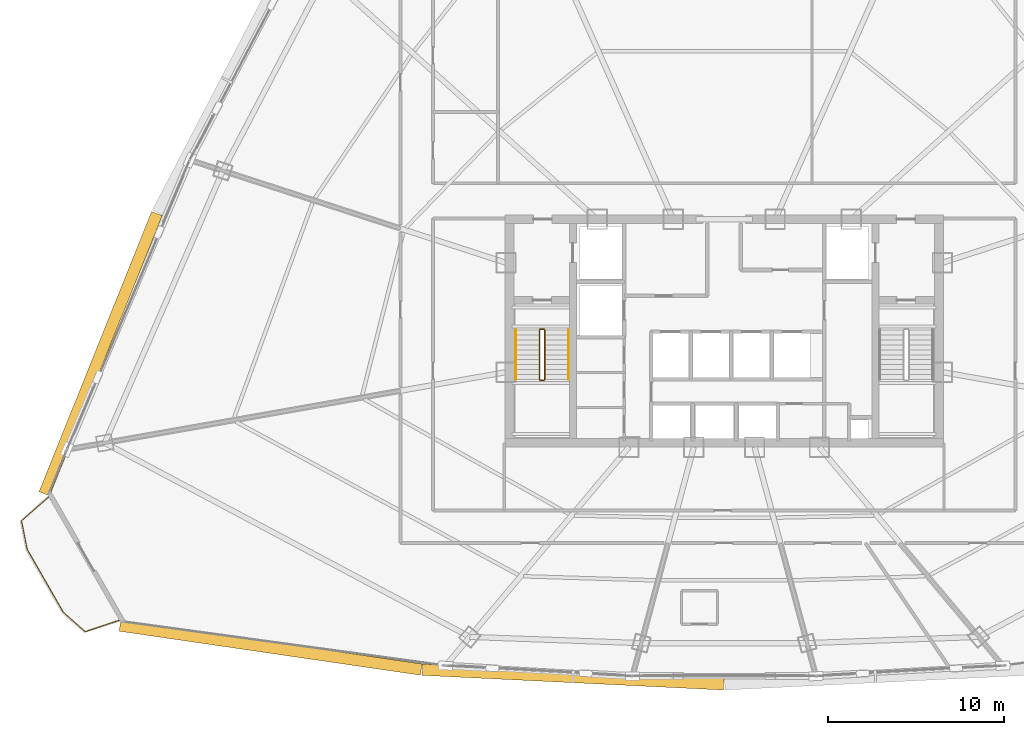
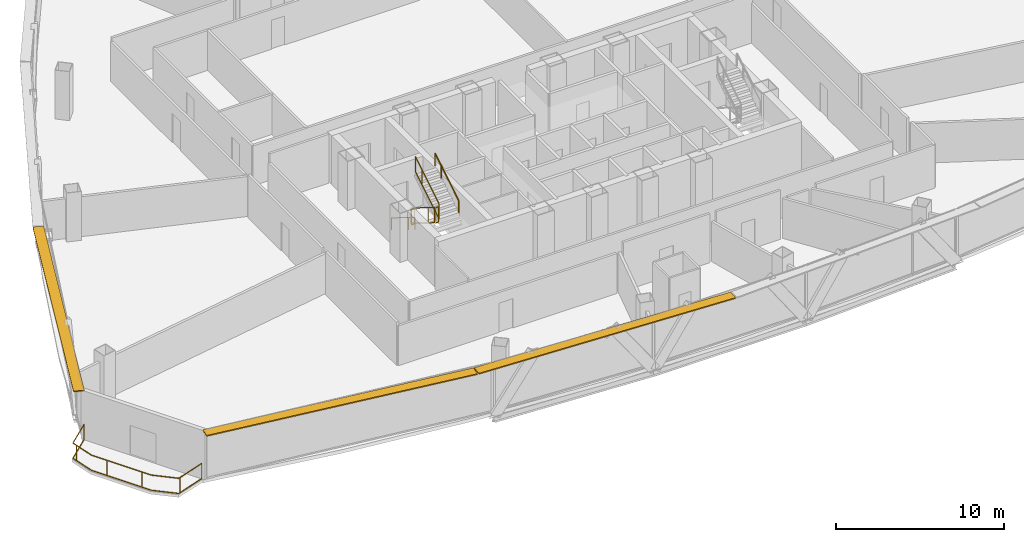
# One storey, part 34 of 37: 7 railings, 3 shading devices.
"""IFC4 building model written with IfcOpenShell, lengths in metres."""

from ifc_helpers import new_model, si_unit, direction, frame, origin, origin_2d, place, context, subcontext, project, spatial, rectangle, extrude, source, transform, mapped, material, layer, layer_set, type_object, element, save


model = new_model("IFC4")

# Units and contexts
model_context = context("Model", 3, precision=1e-05, world=origin(), true_north=direction((0.0, 1.0)))
body_context = subcontext(model_context, "Body", "Model", "MODEL_VIEW")
ifc_project = project(units=[si_unit("LENGTHUNIT", "METRE"), si_unit("AREAUNIT", "SQUARE_METRE"), si_unit("VOLUMEUNIT", "CUBIC_METRE"), si_unit("PLANEANGLEUNIT", "RADIAN"), si_unit("MASSUNIT", "GRAM", prefix="KILO"), si_unit("THERMODYNAMICTEMPERATUREUNIT", "KELVIN"), si_unit("POWERUNIT", "WATT")], contexts=[model_context])

# Site, building, storey
site_placement = place(None, origin())
site = spatial("IfcSite", under=ifc_project, at=site_placement, CompositionType="ELEMENT")
building_placement = place(site_placement, origin())
building = spatial("IfcBuilding", under=site, at=building_placement, Name="Yunzhuo Pagoda Commons", CompositionType="ELEMENT")
storey_placement = place(building_placement, frame((0.0, 0.0, 192.360107421875)))
storey = spatial("IfcBuildingStorey", under=building, at=storey_placement, Name="L48", CompositionType="ELEMENT", Elevation=192.360107421875)

# Railings
ifc_material = material(Name="Anodized aluminium 6063-T6", Category="aluminium")
railing_type_1 = type_object("IfcRailingType", Name="GR-ST1 Stair Well Guardrail 1150", PredefinedType="GUARDRAIL", material=ifc_material)
railing_1_placement = place(storey_placement, frame((37.5, 33.89990234375, 0.172607421875)))
element("IfcRailing", 1, at=railing_1_placement, inside=storey, type_object=railing_type_1, Name="L48 ST1 stair guard 1", PredefinedType="GUARDRAIL", context=body_context, shape_type="SweptSolid", body=[
    extrude(rectangle(XDim=0.048095703125, YDim=0.048095703125, at=origin_2d()), frame((0.0, 0.0, 1.1259765625), z_axis=(0.0, -0.851069175582, 0.525053576669), x_axis=(1.0, 0.0, 0.0)), (0.0, 0.0, 1.0), 3.289794921875),
    extrude(rectangle(XDim=0.048095703125, YDim=0.048095703125, at=origin_2d()), frame((0.0, 0.0, 0.02392578125), z_axis=(0.0, -0.851069175582, 0.525053576669), x_axis=(1.0, 0.0, 0.0)), (0.0, 0.0, 1.0), 3.289794921875),
    extrude(rectangle(XDim=0.0419921875, YDim=0.0419921875, at=origin_2d()), origin(), (0.0, 0.0, 1.0), 1.101806640625),
    extrude(rectangle(XDim=0.0419921875, YDim=0.0419921875, at=origin_2d()), frame((0.0, -2.04248046875, 1.260009765625)), (0.0, 0.0, 1.0), 1.101806640625),
    extrude(rectangle(XDim=0.0419921875, YDim=0.0419921875, at=origin_2d()), frame((0.0, -2.7998046875, 1.727294921875)), (0.0, 0.0, 1.0), 1.101806640625),
])
railing_2_placement = place(storey_placement, frame((37.550048828125, 31.050048828125, 1.89990234375)))
element("IfcRailing", 2, at=railing_2_placement, inside=storey, type_object=railing_type_1, Name="L48 ST1 stair guard 2", PredefinedType="GUARDRAIL", context=body_context, shape_type="SweptSolid", body=[
    extrude(rectangle(XDim=0.048095703125, YDim=0.048095703125, at=origin_2d()), frame((0.0, 0.0, 1.1259765625), z_axis=(1.0, 0.0, 0.0), x_axis=(0.0, 1.0, 0.0)), (0.0, 0.0, 1.0), 0.199951171875),
    extrude(rectangle(XDim=0.048095703125, YDim=0.048095703125, at=origin_2d()), frame((0.0, 0.0, 0.02392578125), z_axis=(1.0, 0.0, 0.0), x_axis=(0.0, 1.0, 0.0)), (0.0, 0.0, 1.0), 0.199951171875),
    extrude(rectangle(XDim=0.0419921875, YDim=0.0419921875, at=origin_2d()), origin(), (0.0, 0.0, 1.0), 1.101806640625),
    extrude(rectangle(XDim=0.0419921875, YDim=0.0419921875, at=origin_2d()), frame((0.199951171875, 0.0, 0.0)), (0.0, 0.0, 1.0), 1.101806640625),
])
railing_3_placement = place(storey_placement, frame((37.800048828125, 31.10009765625, 2.072509765625)))
element("IfcRailing", 3, at=railing_3_placement, inside=storey, type_object=railing_type_1, Name="L48 ST1 stair guard 3", PredefinedType="GUARDRAIL", context=body_context, shape_type="SweptSolid", body=[
    extrude(rectangle(XDim=0.048095703125, YDim=0.048095703125, at=origin_2d()), frame((0.0, 0.0, 1.1259765625), z_axis=(0.0, 0.851069175582, 0.525053576669), x_axis=(-1.0, 0.0, 0.0)), (0.0, 0.0, 1.0), 3.289794921875),
    extrude(rectangle(XDim=0.048095703125, YDim=0.048095703125, at=origin_2d()), frame((0.0, 0.0, 0.02392578125), z_axis=(0.0, 0.851069175582, 0.525053576669), x_axis=(-1.0, 0.0, 0.0)), (0.0, 0.0, 1.0), 3.289794921875),
    extrude(rectangle(XDim=0.0419921875, YDim=0.0419921875, at=origin_2d()), origin(), (0.0, 0.0, 1.0), 1.101806640625),
    extrude(rectangle(XDim=0.0419921875, YDim=0.0419921875, at=origin_2d()), frame((0.0, 2.04248046875, 1.260009765625)), (0.0, 0.0, 1.0), 1.101806640625),
    extrude(rectangle(XDim=0.0419921875, YDim=0.0419921875, at=origin_2d()), frame((0.0, 2.7998046875, 1.727294921875)), (0.0, 0.0, 1.0), 1.101806640625),
])
railing_4_placement = place(storey_placement, frame((37.550048828125, 33.949951171875, 0.0)))
element("IfcRailing", 4, at=railing_4_placement, inside=storey, type_object=railing_type_1, Name="L48 ST1 stair guard 4", PredefinedType="GUARDRAIL", context=body_context, shape_type="SweptSolid", body=[
    extrude(rectangle(XDim=0.048095703125, YDim=0.048095703125, at=origin_2d()), frame((0.0, 0.0, 1.1259765625), z_axis=(1.0, 0.0, 0.0), x_axis=(0.0, 1.0, 0.0)), (0.0, 0.0, 1.0), 0.199951171875),
    extrude(rectangle(XDim=0.048095703125, YDim=0.048095703125, at=origin_2d()), frame((0.0, 0.0, 0.02392578125), z_axis=(1.0, 0.0, 0.0), x_axis=(0.0, 1.0, 0.0)), (0.0, 0.0, 1.0), 0.199951171875),
    extrude(rectangle(XDim=0.0419921875, YDim=0.0419921875, at=origin_2d()), origin(), (0.0, 0.0, 1.0), 1.101806640625),
    extrude(rectangle(XDim=0.0419921875, YDim=0.0419921875, at=origin_2d()), frame((0.199951171875, 0.0, 0.0)), (0.0, 0.0, 1.0), 1.101806640625),
])
railing_type_2 = type_object("IfcRailingType", Name="HR-ST1 Stair Handrail 900", PredefinedType="HANDRAIL", material=ifc_material)
railing_5_placement = place(storey_placement, frame((36.14990234375, 33.89990234375, 0.172607421875)))
element("IfcRailing", 5, at=railing_5_placement, inside=storey, type_object=railing_type_2, Name="L48 ST1 stair handrail 1", PredefinedType="HANDRAIL", context=body_context, shape_type="SweptSolid", body=[
    extrude(rectangle(XDim=0.048095703125, YDim=0.048095703125, at=origin_2d()), frame((0.0, 0.0, 0.8759765625), z_axis=(0.0, -0.851069175582, 0.525053576669), x_axis=(1.0, 0.0, 0.0)), (0.0, 0.0, 1.0), 3.289794921875),
    extrude(rectangle(XDim=0.0419921875, YDim=0.0419921875, at=origin_2d()), origin(), (0.0, 0.0, 1.0), 0.851806640625),
    extrude(rectangle(XDim=0.0419921875, YDim=0.0419921875, at=origin_2d()), frame((0.0, -2.04248046875, 1.260009765625)), (0.0, 0.0, 1.0), 0.851806640625),
    extrude(rectangle(XDim=0.0419921875, YDim=0.0419921875, at=origin_2d()), frame((0.0, -2.7998046875, 1.727294921875)), (0.0, 0.0, 1.0), 0.851806640625),
])
railing_6_placement = place(storey_placement, frame((39.14990234375, 31.10009765625, 2.072509765625)))
element("IfcRailing", 6, at=railing_6_placement, inside=storey, type_object=railing_type_2, Name="L48 ST1 stair handrail 2", PredefinedType="HANDRAIL", context=body_context, shape_type="SweptSolid", body=[
    extrude(rectangle(XDim=0.048095703125, YDim=0.048095703125, at=origin_2d()), frame((0.0, 0.0, 0.8759765625), z_axis=(0.0, 0.851069175582, 0.525053576669), x_axis=(-1.0, 0.0, 0.0)), (0.0, 0.0, 1.0), 3.289794921875),
    extrude(rectangle(XDim=0.0419921875, YDim=0.0419921875, at=origin_2d()), origin(), (0.0, 0.0, 1.0), 0.851806640625),
    extrude(rectangle(XDim=0.0419921875, YDim=0.0419921875, at=origin_2d()), frame((0.0, 2.04248046875, 1.260009765625)), (0.0, 0.0, 1.0), 0.851806640625),
    extrude(rectangle(XDim=0.0419921875, YDim=0.0419921875, at=origin_2d()), frame((0.0, 2.7998046875, 1.727294921875)), (0.0, 0.0, 1.0), 0.851806640625),
])
railing_type_3 = type_object("IfcRailingType", Name="RL-BAL1 Exterior Terrace & Balcony Balustrade 1150", PredefinedType="BALUSTRADE", material=ifc_material)
railing_7_placement = place(storey_placement, frame((9.6123046875, 24.421875, 0.0)))
element("IfcRailing", 7, at=railing_7_placement, inside=storey, type_object=railing_type_3, Name="L48 corner balcony balustrade V1", PredefinedType="BALUSTRADE", context=body_context, shape_type="SweptSolid", body=[
    extrude(rectangle(XDim=0.048095703125, YDim=0.048095703125, at=origin_2d()), frame((0.0, 0.0, 1.1259765625), z_axis=(-0.753933830692, -0.656950362614, 0.0), x_axis=(0.656950362614, -0.753933830692, 0.0)), (0.0, 0.0, 1.0), 2.05908203125),
    extrude(rectangle(XDim=0.048095703125, YDim=0.048095703125, at=origin_2d()), frame((0.0, 0.0, 0.02392578125), z_axis=(-0.753933830692, -0.656950362614, 0.0), x_axis=(0.656950362614, -0.753933830692, 0.0)), (0.0, 0.0, 1.0), 2.05908203125),
    extrude(rectangle(XDim=0.048095703125, YDim=0.048095703125, at=origin_2d()), frame((-1.552490234375, -1.352783203125, 1.1259765625), z_axis=(0.196031545686, -0.980597589787, 0.0), x_axis=(0.980597589787, 0.196031545686, 0.0)), (0.0, 0.0, 1.0), 1.6650390625),
    extrude(rectangle(XDim=0.048095703125, YDim=0.048095703125, at=origin_2d()), frame((-1.552490234375, -1.352783203125, 0.02392578125), z_axis=(0.196031545686, -0.980597589787, 0.0), x_axis=(0.980597589787, 0.196031545686, 0.0)), (0.0, 0.0, 1.0), 1.6650390625),
    extrude(rectangle(XDim=0.048095703125, YDim=0.048095703125, at=origin_2d()), frame((-1.22607421875, -2.985595703125, 1.1259765625), z_axis=(0.497919550018, -0.867223224844, 0.0), x_axis=(0.867223224844, 0.497919550018, 0.0)), (0.0, 0.0, 1.0), 4.1171875),
    extrude(rectangle(XDim=0.048095703125, YDim=0.048095703125, at=origin_2d()), frame((-1.22607421875, -2.985595703125, 0.02392578125), z_axis=(0.497919550018, -0.867223224844, 0.0), x_axis=(0.867223224844, 0.497919550018, 0.0)), (0.0, 0.0, 1.0), 4.1171875),
    extrude(rectangle(XDim=0.048095703125, YDim=0.048095703125, at=origin_2d()), frame((0.823974609375, -6.55615234375, 1.1259765625), z_axis=(0.748072290348, -0.663617245416, 0.0), x_axis=(0.663617245416, 0.748072290348, 0.0)), (0.0, 0.0, 1.0), 1.6650390625),
    extrude(rectangle(XDim=0.048095703125, YDim=0.048095703125, at=origin_2d()), frame((0.823974609375, -6.55615234375, 0.02392578125), z_axis=(0.748072290348, -0.663617245416, 0.0), x_axis=(0.663617245416, 0.748072290348, 0.0)), (0.0, 0.0, 1.0), 1.6650390625),
    extrude(rectangle(XDim=0.048095703125, YDim=0.048095703125, at=origin_2d()), frame((2.069580078125, -7.6611328125, 1.1259765625), z_axis=(0.947419062147, 0.319995501031, 0.0), x_axis=(-0.319995501031, 0.947419062147, 0.0)), (0.0, 0.0, 1.0), 2.05908203125),
    extrude(rectangle(XDim=0.048095703125, YDim=0.048095703125, at=origin_2d()), frame((2.069580078125, -7.6611328125, 0.02392578125), z_axis=(0.947419062147, 0.319995501031, 0.0), x_axis=(-0.319995501031, 0.947419062147, 0.0)), (0.0, 0.0, 1.0), 2.05908203125),
    extrude(rectangle(XDim=0.0419921875, YDim=0.0419921875, at=origin_2d()), origin(), (0.0, 0.0, 1.0), 1.101806640625),
    extrude(rectangle(XDim=0.0419921875, YDim=0.0419921875, at=origin_2d()), frame((-1.485595703125, -1.68701171875, 0.0)), (0.0, 0.0, 1.0), 1.101806640625),
    extrude(rectangle(XDim=0.0419921875, YDim=0.0419921875, at=origin_2d()), frame((-0.6904296875, -3.91845703125, 0.0)), (0.0, 0.0, 1.0), 1.101806640625),
    extrude(rectangle(XDim=0.0419921875, YDim=0.0419921875, at=origin_2d()), frame((0.504638671875, -5.999755859375, 0.0)), (0.0, 0.0, 1.0), 1.101806640625),
    extrude(rectangle(XDim=0.0419921875, YDim=0.0419921875, at=origin_2d()), frame((2.157958984375, -7.63134765625, 0.0)), (0.0, 0.0, 1.0), 1.101806640625),
    extrude(rectangle(XDim=0.0419921875, YDim=0.0419921875, at=origin_2d()), frame((4.0205078125, -7.002197265625, 0.0)), (0.0, 0.0, 1.0), 1.101806640625),
])

# Shading devices
ifc_layer = layer(ifc_material, 0.080078125)
ifc_layer_set = layer_set([ifc_layer], Name="Anodized aluminium 6063-T6")
shading_device_type = type_object("IfcShadingDeviceType", Name="SH-SUN1 Pagoda Horizontal Sunshade Eave 650", PredefinedType="USERDEFINED", material=ifc_layer_set)
shared_shape_1 = source(origin(), body_context, "Body", "SweptSolid", [
    extrude(rectangle(XDim=17.305419921875, YDim=0.64990234375, at=origin_2d()), origin(), (0.0, 0.0, 1.0), 0.080078125),
])
shading_device_1_placement = place(storey_placement, frame((22.2197265625, 15.860107421875, 3.4599609375), z_axis=(0.0, 0.0, 1.0), x_axis=(0.989510666697, -0.144459823108, 0.0)))
element("IfcShadingDevice", 8, at=shading_device_1_placement, inside=storey, type_object=shading_device_type, Name="L48 horizontal pagoda sunshade eave F1.1", ObjectType="SUNSHADE", PredefinedType="USERDEFINED", context=body_context, shape_type="MappedRepresentation", body=[
    mapped(shared_shape_1, transform((0.0, 0.0, 0.0), scale=1.0)),
])
shared_shape_2 = source(origin(), body_context, "Body", "SweptSolid", [
    extrude(rectangle(XDim=17.14404296875, YDim=0.64990234375, at=origin_2d()), origin(), (0.0, 0.0, 1.0), 0.080078125),
])
shading_device_2_placement = place(storey_placement, frame((39.406494140625, 14.1875, 3.4599609375), z_axis=(0.0, 0.0, 1.0), x_axis=(0.998818043775, -0.04860571396, 0.0)))
element("IfcShadingDevice", 9, at=shading_device_2_placement, inside=storey, type_object=shading_device_type, Name="L48 horizontal pagoda sunshade eave F1.2", ObjectType="SUNSHADE", PredefinedType="USERDEFINED", context=body_context, shape_type="MappedRepresentation", body=[
    mapped(shared_shape_2, transform((0.0, 0.0, 0.0), scale=1.0)),
])
shared_shape_3 = source(origin(), body_context, "Body", "SweptSolid", [
    extrude(rectangle(XDim=17.16650390625, YDim=0.64990234375, at=origin_2d()), origin(), (0.0, 0.0, 1.0), 0.080078125),
])
shading_device_3_placement = place(storey_placement, frame((12.558837890625, 32.56298828125, 3.4599609375), z_axis=(0.0, 0.0, 1.0), x_axis=(-0.372987782576, -0.927836253899, 0.0)))
element("IfcShadingDevice", 10, at=shading_device_3_placement, inside=storey, type_object=shading_device_type, Name="L48 horizontal pagoda sunshade eave F3.4", ObjectType="SUNSHADE", PredefinedType="USERDEFINED", context=body_context, shape_type="MappedRepresentation", body=[
    mapped(shared_shape_3, transform((0.0, 0.0, 0.0), scale=1.0)),
])

save(model, "model.ifc")
